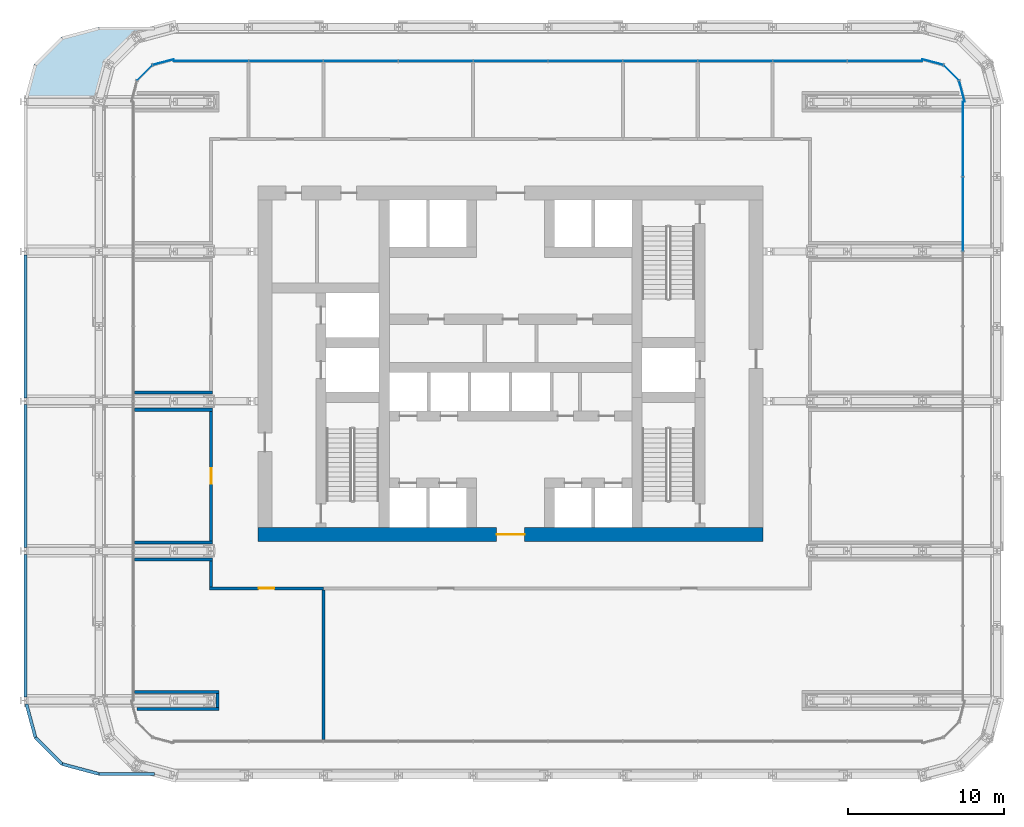
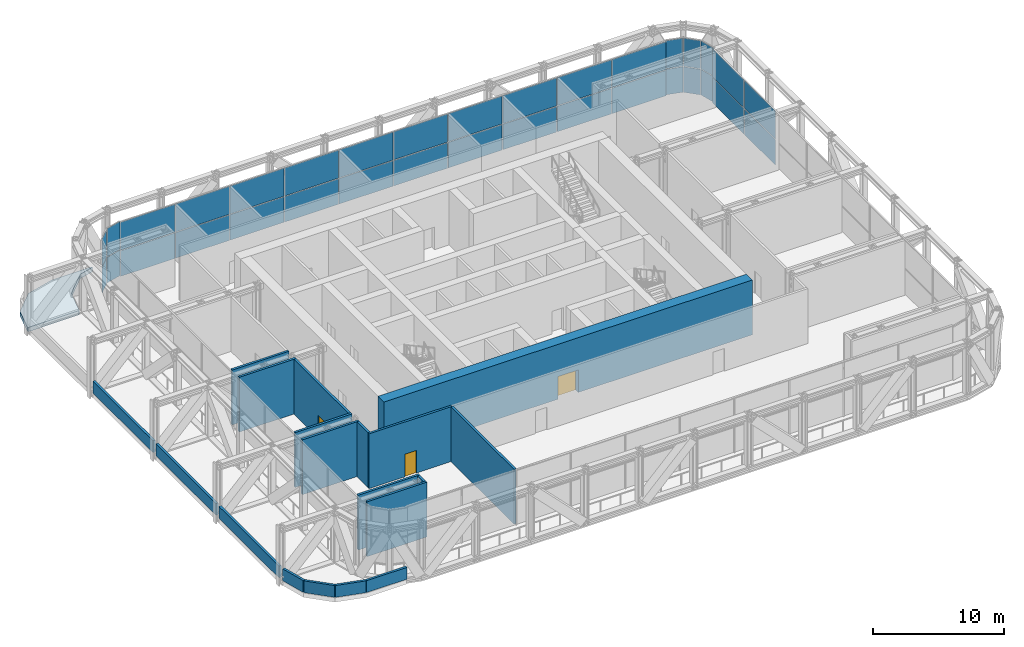
# One storey, part 19 of 30: 34 plates, 19 walls, 3 doors, 1 slab, 3 openings, 4 elements without a shape of their own.
"""IFC4 building model written with IfcOpenShell, lengths in metres."""

from ifc_helpers import new_model, si_unit, direction, frame, frame_2d, origin, origin_2d, place, context, subcontext, project, spatial, polyline, rectangle, outline, extrude, material, layer, layer_set, type_object, element, fill, aggregate, save


model = new_model("IFC4")

# Units and contexts
model_context = context("Model", 3, precision=1e-05, world=origin(), true_north=direction((0.0, 1.0)))
body_context = subcontext(model_context, "Body", "Model", "MODEL_VIEW")
ifc_project = project(units=[si_unit("LENGTHUNIT", "METRE"), si_unit("AREAUNIT", "SQUARE_METRE"), si_unit("VOLUMEUNIT", "CUBIC_METRE"), si_unit("PLANEANGLEUNIT", "RADIAN"), si_unit("MASSUNIT", "GRAM", prefix="KILO")], contexts=[model_context])

# Site, building, storey
site_placement = place(None, origin())
site = spatial("IfcSite", under=ifc_project, at=site_placement, CompositionType="ELEMENT")
building_placement = place(site_placement, origin())
building = spatial("IfcBuilding", under=site, at=building_placement, Name="Madar Terraces", CompositionType="ELEMENT")
storey_placement = place(building_placement, frame((0.0, 0.0, 53.89990234375)))
storey = spatial("IfcBuildingStorey", under=building, at=storey_placement, Name="L13", CompositionType="ELEMENT", Elevation=53.89990234375)

# Curtain wall, plates
ifc_material_1 = material(Name="Glass, ceramic frit dark grey, with black aluminium frame", Category="aluminium")
ifc_layer_1 = layer(ifc_material_1, 0.199951171875)
ifc_layer_set_1 = layer_set([ifc_layer_1], Name="Facade curtain wall, tall glazing")
curtain_wall_type = type_object("IfcCurtainWallType", Name="Facade curtain wall, tall glazing", PredefinedType="NOTDEFINED", material=ifc_layer_set_1)
curtain_wall_1_placement = place(storey_placement, origin())
curtain_wall_1 = element("IfcCurtainWall", 1, at=curtain_wall_1_placement, inside=storey, type_object=curtain_wall_type, Name="Outer skin curtain wall east bay 1", PredefinedType="NOTDEFINED")
ifc_material_2 = material(Name="Glass, ceramic frit dark grey", Category="glass")
ifc_layer_2 = layer(ifc_material_2, 0.028076171875)
ifc_layer_set_2 = layer_set([ifc_layer_2], Name="Facade glass panel 28")
plate_type = type_object("IfcPlateType", Name="Facade glass panel 28", PredefinedType="CURTAIN_PANEL", material=ifc_layer_set_2)
plate_1_placement = place(storey_placement, frame((60.199951171875, 36.0, 0.0), z_axis=(0.0, 0.0, 1.0), x_axis=(0.0, 1.0, 0.0)))
plate_1 = element("IfcPlate", 2, at=plate_1_placement, type_object=plate_type, Name="Panel 13", PredefinedType="CURTAIN_PANEL", context=body_context, shape_type="SweptSolid", body=[
    extrude(rectangle(XDim=4.739990234375, YDim=0.028076171875, at=origin_2d()), origin(), (0.0, 0.0, 1.0), 2.3701171875),
])
plate_2_placement = place(storey_placement, frame((60.199951171875, 36.0, 2.43017578125), z_axis=(0.0, 0.0, 1.0), x_axis=(0.0, 1.0, 0.0)))
plate_2 = element("IfcPlate", 3, at=plate_2_placement, type_object=plate_type, Name="Panel 14", PredefinedType="CURTAIN_PANEL", context=body_context, shape_type="SweptSolid", body=[
    extrude(rectangle(XDim=4.739990234375, YDim=0.028076171875, at=origin_2d()), origin(), (0.0, 0.0, 1.0), 2.610107421875),
])
plate_3_placement = place(storey_placement, frame((60.199951171875, 40.81494140625, 0.0), z_axis=(0.0, 0.0, 1.0), x_axis=(0.0, 1.0, 0.0)))
plate_3 = element("IfcPlate", 4, at=plate_3_placement, type_object=plate_type, Name="Panel 15", PredefinedType="CURTAIN_PANEL", context=body_context, shape_type="SweptSolid", body=[
    extrude(rectangle(XDim=4.77001953125, YDim=0.028076171875, at=origin_2d()), origin(), (0.0, 0.0, 1.0), 2.3701171875),
])
plate_4_placement = place(storey_placement, frame((60.199951171875, 40.81494140625, 2.43017578125), z_axis=(0.0, 0.0, 1.0), x_axis=(0.0, 1.0, 0.0)))
plate_4 = element("IfcPlate", 5, at=plate_4_placement, type_object=plate_type, Name="Panel 16", PredefinedType="CURTAIN_PANEL", context=body_context, shape_type="SweptSolid", body=[
    extrude(rectangle(XDim=4.77001953125, YDim=0.028076171875, at=origin_2d()), origin(), (0.0, 0.0, 1.0), 2.610107421875),
])
aggregate(curtain_wall_1, [plate_1, plate_2, plate_3, plate_4])

curtain_wall_2_placement = place(storey_placement, origin())
curtain_wall_2 = element("IfcCurtainWall", 6, at=curtain_wall_2_placement, inside=storey, type_object=curtain_wall_type, Name="Outer skin curtain wall north bay 1", PredefinedType="NOTDEFINED")
plate_5_placement = place(storey_placement, frame((55.215087890625, 45.800048828125, 0.0), z_axis=(0.0, 0.0, 1.0), x_axis=(-1.0, 0.0, 0.0)))
plate_5 = element("IfcPlate", 7, at=plate_5_placement, type_object=plate_type, Name="Panel 1", PredefinedType="CURTAIN_PANEL", context=body_context, shape_type="SweptSolid", body=[
    extrude(rectangle(XDim=4.77001953125, YDim=0.028076171875, at=origin_2d()), origin(), (0.0, 0.0, 1.0), 2.3701171875),
])
plate_6_placement = place(storey_placement, frame((55.215087890625, 45.800048828125, 2.43017578125), z_axis=(0.0, 0.0, 1.0), x_axis=(-1.0, 0.0, 0.0)))
plate_6 = element("IfcPlate", 8, at=plate_6_placement, type_object=plate_type, Name="Panel 2", PredefinedType="CURTAIN_PANEL", context=body_context, shape_type="SweptSolid", body=[
    extrude(rectangle(XDim=4.77001953125, YDim=0.028076171875, at=origin_2d()), origin(), (0.0, 0.0, 1.0), 2.610107421875),
])
plate_7_placement = place(storey_placement, frame((50.39990234375, 45.800048828125, 0.0), z_axis=(0.0, 0.0, 1.0), x_axis=(-1.0, 0.0, 0.0)))
plate_7 = element("IfcPlate", 9, at=plate_7_placement, type_object=plate_type, Name="Panel 3", PredefinedType="CURTAIN_PANEL", context=body_context, shape_type="SweptSolid", body=[
    extrude(rectangle(XDim=4.739990234375, YDim=0.028076171875, at=origin_2d()), origin(), (0.0, 0.0, 1.0), 2.3701171875),
])
plate_8_placement = place(storey_placement, frame((50.39990234375, 45.800048828125, 2.43017578125), z_axis=(0.0, 0.0, 1.0), x_axis=(-1.0, 0.0, 0.0)))
plate_8 = element("IfcPlate", 10, at=plate_8_placement, type_object=plate_type, Name="Panel 4", PredefinedType="CURTAIN_PANEL", context=body_context, shape_type="SweptSolid", body=[
    extrude(rectangle(XDim=4.739990234375, YDim=0.028076171875, at=origin_2d()), origin(), (0.0, 0.0, 1.0), 2.610107421875),
])
plate_9_placement = place(storey_placement, frame((45.60009765625, 45.800048828125, 0.0), z_axis=(0.0, 0.0, 1.0), x_axis=(-1.0, 0.0, 0.0)))
plate_9 = element("IfcPlate", 11, at=plate_9_placement, type_object=plate_type, Name="Panel 5", PredefinedType="CURTAIN_PANEL", context=body_context, shape_type="SweptSolid", body=[
    extrude(rectangle(XDim=4.739990234375, YDim=0.028076171875, at=origin_2d()), origin(), (0.0, 0.0, 1.0), 2.3701171875),
])
plate_10_placement = place(storey_placement, frame((45.60009765625, 45.800048828125, 2.43017578125), z_axis=(0.0, 0.0, 1.0), x_axis=(-1.0, 0.0, 0.0)))
plate_10 = element("IfcPlate", 12, at=plate_10_placement, type_object=plate_type, Name="Panel 6", PredefinedType="CURTAIN_PANEL", context=body_context, shape_type="SweptSolid", body=[
    extrude(rectangle(XDim=4.739990234375, YDim=0.028076171875, at=origin_2d()), origin(), (0.0, 0.0, 1.0), 2.610107421875),
])
plate_11_placement = place(storey_placement, frame((40.800048828125, 45.800048828125, 0.0), z_axis=(0.0, 0.0, 1.0), x_axis=(-1.0, 0.0, 0.0)))
plate_11 = element("IfcPlate", 13, at=plate_11_placement, type_object=plate_type, Name="Panel 7", PredefinedType="CURTAIN_PANEL", context=body_context, shape_type="SweptSolid", body=[
    extrude(rectangle(XDim=4.739990234375, YDim=0.028076171875, at=origin_2d()), origin(), (0.0, 0.0, 1.0), 2.3701171875),
])
plate_12_placement = place(storey_placement, frame((40.800048828125, 45.800048828125, 2.43017578125), z_axis=(0.0, 0.0, 1.0), x_axis=(-1.0, 0.0, 0.0)))
plate_12 = element("IfcPlate", 14, at=plate_12_placement, type_object=plate_type, Name="Panel 8", PredefinedType="CURTAIN_PANEL", context=body_context, shape_type="SweptSolid", body=[
    extrude(rectangle(XDim=4.739990234375, YDim=0.028076171875, at=origin_2d()), origin(), (0.0, 0.0, 1.0), 2.610107421875),
])
plate_13_placement = place(storey_placement, frame((36.0, 45.800048828125, 0.0), z_axis=(0.0, 0.0, 1.0), x_axis=(-1.0, 0.0, 0.0)))
plate_13 = element("IfcPlate", 15, at=plate_13_placement, type_object=plate_type, Name="Panel 9", PredefinedType="CURTAIN_PANEL", context=body_context, shape_type="SweptSolid", body=[
    extrude(rectangle(XDim=4.739990234375, YDim=0.028076171875, at=origin_2d()), origin(), (0.0, 0.0, 1.0), 2.3701171875),
])
plate_14_placement = place(storey_placement, frame((36.0, 45.800048828125, 2.43017578125), z_axis=(0.0, 0.0, 1.0), x_axis=(-1.0, 0.0, 0.0)))
plate_14 = element("IfcPlate", 16, at=plate_14_placement, type_object=plate_type, Name="Panel 10", PredefinedType="CURTAIN_PANEL", context=body_context, shape_type="SweptSolid", body=[
    extrude(rectangle(XDim=4.739990234375, YDim=0.028076171875, at=origin_2d()), origin(), (0.0, 0.0, 1.0), 2.610107421875),
])
plate_15_placement = place(storey_placement, frame((31.199951171875, 45.800048828125, 0.0), z_axis=(0.0, 0.0, 1.0), x_axis=(-1.0, 0.0, 0.0)))
plate_15 = element("IfcPlate", 17, at=plate_15_placement, type_object=plate_type, Name="Panel 11", PredefinedType="CURTAIN_PANEL", context=body_context, shape_type="SweptSolid", body=[
    extrude(rectangle(XDim=4.739990234375, YDim=0.028076171875, at=origin_2d()), origin(), (0.0, 0.0, 1.0), 2.3701171875),
])
plate_16_placement = place(storey_placement, frame((31.199951171875, 45.800048828125, 2.43017578125), z_axis=(0.0, 0.0, 1.0), x_axis=(-1.0, 0.0, 0.0)))
plate_16 = element("IfcPlate", 18, at=plate_16_placement, type_object=plate_type, Name="Panel 12", PredefinedType="CURTAIN_PANEL", context=body_context, shape_type="SweptSolid", body=[
    extrude(rectangle(XDim=4.739990234375, YDim=0.028076171875, at=origin_2d()), origin(), (0.0, 0.0, 1.0), 2.610107421875),
])
plate_17_placement = place(storey_placement, frame((26.39990234375, 45.800048828125, 0.0), z_axis=(0.0, 0.0, 1.0), x_axis=(-1.0, 0.0, 0.0)))
plate_17 = element("IfcPlate", 19, at=plate_17_placement, type_object=plate_type, Name="Panel 13", PredefinedType="CURTAIN_PANEL", context=body_context, shape_type="SweptSolid", body=[
    extrude(rectangle(XDim=4.739990234375, YDim=0.028076171875, at=origin_2d()), origin(), (0.0, 0.0, 1.0), 2.3701171875),
])
plate_18_placement = place(storey_placement, frame((26.39990234375, 45.800048828125, 2.43017578125), z_axis=(0.0, 0.0, 1.0), x_axis=(-1.0, 0.0, 0.0)))
plate_18 = element("IfcPlate", 20, at=plate_18_placement, type_object=plate_type, Name="Panel 14", PredefinedType="CURTAIN_PANEL", context=body_context, shape_type="SweptSolid", body=[
    extrude(rectangle(XDim=4.739990234375, YDim=0.028076171875, at=origin_2d()), origin(), (0.0, 0.0, 1.0), 2.610107421875),
])
plate_19_placement = place(storey_placement, frame((21.60009765625, 45.800048828125, 0.0), z_axis=(0.0, 0.0, 1.0), x_axis=(-1.0, 0.0, 0.0)))
plate_19 = element("IfcPlate", 21, at=plate_19_placement, type_object=plate_type, Name="Panel 15", PredefinedType="CURTAIN_PANEL", context=body_context, shape_type="SweptSolid", body=[
    extrude(rectangle(XDim=4.739990234375, YDim=0.028076171875, at=origin_2d()), origin(), (0.0, 0.0, 1.0), 2.3701171875),
])
plate_20_placement = place(storey_placement, frame((21.60009765625, 45.800048828125, 2.43017578125), z_axis=(0.0, 0.0, 1.0), x_axis=(-1.0, 0.0, 0.0)))
plate_20 = element("IfcPlate", 22, at=plate_20_placement, type_object=plate_type, Name="Panel 16", PredefinedType="CURTAIN_PANEL", context=body_context, shape_type="SweptSolid", body=[
    extrude(rectangle(XDim=4.739990234375, YDim=0.028076171875, at=origin_2d()), origin(), (0.0, 0.0, 1.0), 2.610107421875),
])
plate_21_placement = place(storey_placement, frame((16.800048828125, 45.800048828125, 0.0), z_axis=(0.0, 0.0, 1.0), x_axis=(-1.0, 0.0, 0.0)))
plate_21 = element("IfcPlate", 23, at=plate_21_placement, type_object=plate_type, Name="Panel 17", PredefinedType="CURTAIN_PANEL", context=body_context, shape_type="SweptSolid", body=[
    extrude(rectangle(XDim=4.739990234375, YDim=0.028076171875, at=origin_2d()), origin(), (0.0, 0.0, 1.0), 2.3701171875),
])
plate_22_placement = place(storey_placement, frame((16.800048828125, 45.800048828125, 2.43017578125), z_axis=(0.0, 0.0, 1.0), x_axis=(-1.0, 0.0, 0.0)))
plate_22 = element("IfcPlate", 24, at=plate_22_placement, type_object=plate_type, Name="Panel 18", PredefinedType="CURTAIN_PANEL", context=body_context, shape_type="SweptSolid", body=[
    extrude(rectangle(XDim=4.739990234375, YDim=0.028076171875, at=origin_2d()), origin(), (0.0, 0.0, 1.0), 2.610107421875),
])
plate_23_placement = place(storey_placement, frame((11.985107421875, 45.800048828125, 0.0), z_axis=(0.0, 0.0, 1.0), x_axis=(-1.0, 0.0, 0.0)))
plate_23 = element("IfcPlate", 25, at=plate_23_placement, type_object=plate_type, Name="Panel 19", PredefinedType="CURTAIN_PANEL", context=body_context, shape_type="SweptSolid", body=[
    extrude(rectangle(XDim=4.77001953125, YDim=0.028076171875, at=origin_2d()), origin(), (0.0, 0.0, 1.0), 2.3701171875),
])
plate_24_placement = place(storey_placement, frame((11.985107421875, 45.800048828125, 2.43017578125), z_axis=(0.0, 0.0, 1.0), x_axis=(-1.0, 0.0, 0.0)))
plate_24 = element("IfcPlate", 26, at=plate_24_placement, type_object=plate_type, Name="Panel 20", PredefinedType="CURTAIN_PANEL", context=body_context, shape_type="SweptSolid", body=[
    extrude(rectangle(XDim=4.77001953125, YDim=0.028076171875, at=origin_2d()), origin(), (0.0, 0.0, 1.0), 2.610107421875),
])
aggregate(curtain_wall_2, [plate_5, plate_6, plate_7, plate_8, plate_9, plate_10, plate_11, plate_12, plate_13, plate_14, plate_15, plate_16, plate_17, plate_18, plate_19, plate_20, plate_21, plate_22, plate_23, plate_24])

curtain_wall_3_placement = place(storey_placement, origin())
curtain_wall_3 = element("IfcCurtainWall", 27, at=curtain_wall_3_placement, inside=storey, type_object=curtain_wall_type, Name="Outer skin curtain wall north-east corner", PredefinedType="NOTDEFINED")
plate_25_placement = place(storey_placement, frame((60.1416015625, 43.865478515625, 0.0), z_axis=(0.0, 0.0, 1.0), x_axis=(-0.258819110244, 0.965925808834, 0.0)))
plate_25 = element("IfcPlate", 28, at=plate_25_placement, type_object=plate_type, Name="Panel 1", PredefinedType="CURTAIN_PANEL", context=body_context, shape_type="SweptSolid", body=[
    extrude(rectangle(XDim=1.3779296875, YDim=0.028076171875, at=origin_2d()), origin(), (0.0, 0.0, 1.0), 2.3701171875),
])
plate_26_placement = place(storey_placement, frame((60.1416015625, 43.865478515625, 2.43017578125), z_axis=(0.0, 0.0, 1.0), x_axis=(-0.258819110244, 0.965925808834, 0.0)))
plate_26 = element("IfcPlate", 29, at=plate_26_placement, type_object=plate_type, Name="Panel 2", PredefinedType="CURTAIN_PANEL", context=body_context, shape_type="SweptSolid", body=[
    extrude(rectangle(XDim=1.3779296875, YDim=0.028076171875, at=origin_2d()), origin(), (0.0, 0.0, 1.0), 2.610107421875),
])
plate_27_placement = place(storey_placement, frame((59.457763671875, 45.057861328125, 0.0), z_axis=(0.0, 0.0, 1.0), x_axis=(-0.707106781187, 0.707106781187, 0.0)))
plate_27 = element("IfcPlate", 30, at=plate_27_placement, type_object=plate_type, Name="Panel 3", PredefinedType="CURTAIN_PANEL", context=body_context, shape_type="SweptSolid", body=[
    extrude(rectangle(XDim=1.347900390625, YDim=0.028076171875, at=origin_2d()), origin(), (0.0, 0.0, 1.0), 2.3701171875),
])
plate_28_placement = place(storey_placement, frame((59.457763671875, 45.057861328125, 2.43017578125), z_axis=(0.0, 0.0, 1.0), x_axis=(-0.707106781187, 0.707106781187, 0.0)))
plate_28 = element("IfcPlate", 31, at=plate_28_placement, type_object=plate_type, Name="Panel 4", PredefinedType="CURTAIN_PANEL", context=body_context, shape_type="SweptSolid", body=[
    extrude(rectangle(XDim=1.347900390625, YDim=0.028076171875, at=origin_2d()), origin(), (0.0, 0.0, 1.0), 2.610107421875),
])
plate_29_placement = place(storey_placement, frame((58.265625, 45.74169921875, 0.0), z_axis=(0.0, 0.0, 1.0), x_axis=(-0.965925808834, 0.258819110244, 0.0)))
plate_29 = element("IfcPlate", 32, at=plate_29_placement, type_object=plate_type, Name="Panel 5", PredefinedType="CURTAIN_PANEL", context=body_context, shape_type="SweptSolid", body=[
    extrude(rectangle(XDim=1.3779296875, YDim=0.028076171875, at=origin_2d()), origin(), (0.0, 0.0, 1.0), 2.3701171875),
])
plate_30_placement = place(storey_placement, frame((58.265625, 45.74169921875, 2.43017578125), z_axis=(0.0, 0.0, 1.0), x_axis=(-0.965925808834, 0.258819110244, 0.0)))
plate_30 = element("IfcPlate", 33, at=plate_30_placement, type_object=plate_type, Name="Panel 6", PredefinedType="CURTAIN_PANEL", context=body_context, shape_type="SweptSolid", body=[
    extrude(rectangle(XDim=1.3779296875, YDim=0.028076171875, at=origin_2d()), origin(), (0.0, 0.0, 1.0), 2.610107421875),
])
aggregate(curtain_wall_3, [plate_25, plate_26, plate_27, plate_28, plate_29, plate_30])

curtain_wall_4_placement = place(storey_placement, origin())
curtain_wall_4 = element("IfcCurtainWall", 34, at=curtain_wall_4_placement, inside=storey, type_object=curtain_wall_type, Name="Outer skin curtain wall north-west corner", PredefinedType="NOTDEFINED")
plate_31_placement = place(storey_placement, frame((8.9345703125, 45.74169921875, 0.0), z_axis=(0.0, 0.0, 1.0), x_axis=(-0.965925808834, -0.258819110244, 0.0)))
plate_31 = element("IfcPlate", 35, at=plate_31_placement, type_object=plate_type, Name="Panel 1", PredefinedType="CURTAIN_PANEL", context=body_context, shape_type="SweptSolid", body=[
    extrude(rectangle(XDim=1.3779296875, YDim=0.028076171875, at=origin_2d()), origin(), (0.0, 0.0, 1.0), 2.3701171875),
])
plate_32_placement = place(storey_placement, frame((8.9345703125, 45.74169921875, 2.43017578125), z_axis=(0.0, 0.0, 1.0), x_axis=(-0.965925808834, -0.258819110244, 0.0)))
plate_32 = element("IfcPlate", 36, at=plate_32_placement, type_object=plate_type, Name="Panel 2", PredefinedType="CURTAIN_PANEL", context=body_context, shape_type="SweptSolid", body=[
    extrude(rectangle(XDim=1.3779296875, YDim=0.028076171875, at=origin_2d()), origin(), (0.0, 0.0, 1.0), 2.610107421875),
])
plate_33_placement = place(storey_placement, frame((7.7421875, 45.057861328125, 0.0), z_axis=(0.0, 0.0, 1.0), x_axis=(-0.707106781187, -0.707106781187, 0.0)))
plate_33 = element("IfcPlate", 37, at=plate_33_placement, type_object=plate_type, Name="Panel 3", PredefinedType="CURTAIN_PANEL", context=body_context, shape_type="SweptSolid", body=[
    extrude(rectangle(XDim=1.347900390625, YDim=0.028076171875, at=origin_2d()), origin(), (0.0, 0.0, 1.0), 2.3701171875),
])
plate_34_placement = place(storey_placement, frame((7.7421875, 45.057861328125, 2.43017578125), z_axis=(0.0, 0.0, 1.0), x_axis=(-0.707106781187, -0.707106781187, 0.0)))
plate_34 = element("IfcPlate", 38, at=plate_34_placement, type_object=plate_type, Name="Panel 4", PredefinedType="CURTAIN_PANEL", context=body_context, shape_type="SweptSolid", body=[
    extrude(rectangle(XDim=1.347900390625, YDim=0.028076171875, at=origin_2d()), origin(), (0.0, 0.0, 1.0), 2.610107421875),
])
aggregate(curtain_wall_4, [plate_31, plate_32, plate_33, plate_34])

# Slab
ifc_material_3 = material(Name="Concrete C50/60", Category="concrete")
ifc_layer_3 = layer(ifc_material_3, 0.39990234375)
ifc_layer_set_3 = layer_set([ifc_layer_3], Name="TS1 PT terrace slab 400")
slab_type = type_object("IfcSlabType", Name="TS1 PT terrace slab 400", PredefinedType="FLOOR", material=ifc_layer_set_3)
slab_placement = place(storey_placement, frame((0.0, 0.0, -0.39990234375)))
element("IfcSlab", 39, at=slab_placement, inside=storey, type_object=slab_type, Name="Terrace roof slab L13 (6)", PredefinedType="FLOOR", context=body_context, shape_type="SweptSolid", body=[
    extrude(outline(polyline([(0.643310546875, 45.596923828125), (0.64111328125, 45.592041015625), (0.6396484375, 45.587158203125), (0.080078125, 43.499267578125), (0.0791015625, 43.494384765625), (0.07861328125, 43.48974609375), (0.078369140625, 43.48486328125), (0.078857421875, 43.47998046875), (0.07958984375, 43.475341796875), (0.0810546875, 43.470703125), (0.082763671875, 43.466064453125), (0.084716796875, 43.4619140625), (0.08740234375, 43.457763671875), (0.09033203125, 43.453857421875), (0.093505859375, 43.450439453125), (0.09716796875, 43.447265625), (0.10107421875, 43.4443359375), (0.105224609375, 43.44189453125), (0.109619140625, 43.43994140625), (0.1142578125, 43.438232421875), (0.118896484375, 43.437255859375), (0.12353515625, 43.4365234375), (0.12841796875, 43.436279296875), (4.580322265625, 43.436279296875), (4.58544921875, 43.4365234375), (4.59033203125, 43.437255859375), (4.59521484375, 43.4384765625), (4.599853515625, 43.440185546875), (4.6044921875, 43.4423828125), (4.60888671875, 43.445068359375), (4.61279296875, 43.4482421875), (4.616455078125, 43.45166015625), (4.61962890625, 43.455322265625), (4.62255859375, 43.45947265625), (4.625, 43.4638671875), (4.627197265625, 43.468505859375), (4.628662109375, 43.473388671875), (5.23095703125, 45.720947265625), (5.2314453125, 45.72216796875), (5.232177734375, 45.72314453125), (7.076904296875, 47.56787109375), (7.077880859375, 47.568603515625), (7.0791015625, 47.569091796875), (8.320556640625, 47.901611328125), (8.3251953125, 47.9033203125), (8.329833984375, 47.9052734375), (8.333984375, 47.90771484375), (8.338134765625, 47.910400390625), (8.341796875, 47.913818359375), (8.345458984375, 47.917236328125), (8.348388671875, 47.921142578125), (8.35107421875, 47.92529296875), (8.353271484375, 47.929931640625), (8.35498046875, 47.9345703125), (8.3564453125, 47.939208984375), (8.357177734375, 47.944091796875), (8.357421875, 47.94921875), (8.357421875, 47.9541015625), (8.356689453125, 47.958984375), (8.35546875, 47.9638671875), (8.35400390625, 47.968505859375), (8.351806640625, 47.972900390625), (8.349365234375, 47.977294921875), (8.346435546875, 47.9814453125), (8.34326171875, 47.985107421875), (8.339599609375, 47.98828125), (8.335693359375, 47.991455078125), (8.331298828125, 47.993896484375), (8.326904296875, 47.99609375), (8.322265625, 47.997802734375), (8.3173828125, 47.9990234375), (8.3125, 47.999755859375), (8.3076171875, 48.0), (4.806640625, 48.0), (4.80224609375, 47.999755859375), (4.7978515625, 47.999267578125), (4.793701171875, 47.998291015625), (2.412841796875, 47.3603515625), (2.407958984375, 47.35888671875), (2.403076171875, 47.356689453125), (2.398681640625, 47.35400390625), (2.39453125, 47.350830078125), (2.390625, 47.347412109375), (0.652587890625, 45.609375), (0.649169921875, 45.60546875), (0.64599609375, 45.601318359375), (0.643310546875, 45.596923828125)])), origin(), (0.0, 0.0, 1.0), 0.39990234375),
])

# Wall, opening, door
ifc_material_4 = material(Name="Concrete C80/95", Category="concrete")
ifc_layer_4 = layer(ifc_material_4, 0.89990234375)
ifc_layer_set_4 = layer_set([ifc_layer_4], Name="Concrete C80/95 (CRW2 RC wall 900)")
wall_type_1 = type_object("IfcWallType", Name="CRW2 RC wall 900", PredefinedType="SHEAR", material=ifc_layer_set_4)
wall_1_placement = place(storey_placement, frame((15.0, 15.449951171875, 0.0), z_axis=(0.0, 0.0, 1.0), x_axis=(1.0, 0.0, 0.0)))
wall_1 = element("IfcWall", 40, at=wall_1_placement, inside=storey, type_object=wall_type_1, Name="CORE OUTER WALL", PredefinedType="SHEAR", context=body_context, shape_type="SweptSolid", body=[
    extrude(rectangle(XDim=32.39990234375, YDim=0.89990234375, at=frame_2d((16.199951171875, 0.0))), origin(), (0.0, 0.0, 1.0), 5.10009765625),
])
opening_1_placement = place(wall_1_placement, frame((15.300048828125, 0.0, 0.0)))
opening_1 = element("IfcOpeningElement", 41, at=opening_1_placement, cuts=wall_1, Name="Opening KD1", PredefinedType="OPENING", context=body_context, shape_type="SweptSolid", body=[
    extrude(rectangle(XDim=1.800048828125, YDim=2.10009765625, at=frame_2d((0.89990234375, 1.050048828125))), frame((0.0, 0.4599609375, 0.0), z_axis=(0.0, -1.0, 0.0), x_axis=(1.0, 0.0, 0.0)), (0.0, 0.0, 1.0), 0.919921875),
])
ifc_material_5 = material(Name="Steel door leaf", Category="steel")
door_type_1 = type_object("IfcDoorType", Name="Lobby door pair 1800 x 2100", OperationType="DOUBLE_DOOR_SINGLE_SWING", PredefinedType="DOOR", material=ifc_material_5)
door_1_placement = place(opening_1_placement, frame((1.800048828125, 0.0, 0.0), z_axis=(0.0, 0.0, 1.0), x_axis=(-1.0, 0.0, 0.0)))
door_1 = element("IfcDoor", 42, at=door_1_placement, inside=storey, type_object=door_type_1, Name="LIFT LOBBY DOOR", OperationType="DOUBLE_DOOR_SINGLE_SWING", OverallHeight=2.10009765625, OverallWidth=1.800048828125, PredefinedType="DOOR", context=body_context, shape_type="SweptSolid", body=[
    extrude(rectangle(XDim=1.800048828125, YDim=2.10009765625, at=frame_2d((0.89990234375, 1.050048828125))), frame((0.0, 0.02490234375, 0.0), z_axis=(0.0, -1.0, 0.0), x_axis=(1.0, 0.0, 0.0)), (0.0, 0.0, 1.0), 0.050048828125),
])
fill(opening_1, door_1)

# Walls
ifc_material_6 = material(Name="Blockwork", Category="masonry")
ifc_layer_5 = layer(ifc_material_6, 0.199951171875)
ifc_layer_set_5 = layer_set([ifc_layer_5], Name="Partition 200 EI 120")
wall_type_2 = type_object("IfcWallType", Name="Partition 200 EI 120", PredefinedType="PARTITIONING", material=ifc_layer_set_5)
wall_2_placement = place(storey_placement, frame((7.25, 4.25, 0.0), z_axis=(0.0, 0.0, 1.0), x_axis=(1.0, 0.0, 0.0)))
element("IfcWall", 43, at=wall_2_placement, inside=storey, type_object=wall_type_2, Name="Wall ELECTRICAL SWITCH ROOM / TRUSS SLOT", PredefinedType="PARTITIONING", context=body_context, shape_type="SweptSolid", body=[
    extrude(rectangle(XDim=5.25, YDim=0.199951171875, at=frame_2d((2.625, 0.0))), origin(), (0.0, 0.0, 1.0), 5.10009765625),
])
wall_3_placement = place(storey_placement, frame((7.10009765625, 5.35009765625, 0.0), z_axis=(0.0, 0.0, 1.0), x_axis=(1.0, 0.0, 0.0)))
element("IfcWall", 44, at=wall_3_placement, inside=storey, type_object=wall_type_2, Name="Wall ELECTRICAL SWITCH ROOM / TRUSS SLOT", PredefinedType="PARTITIONING", context=body_context, shape_type="SweptSolid", body=[
    extrude(rectangle(XDim=5.39990234375, YDim=0.199951171875, at=frame_2d((2.699951171875, 0.0))), origin(), (0.0, 0.0, 1.0), 5.10009765625),
])

# Wall, opening, door
wall_4_placement = place(storey_placement, frame((19.199951171875, 12.0, 0.0), z_axis=(0.0, 0.0, 1.0), x_axis=(-1.0, 0.0, 0.0)))
wall_4 = element("IfcWall", 45, at=wall_4_placement, inside=storey, type_object=wall_type_2, Name="Wall ELECTRICAL SWITCH ROOM / RING CORRIDOR", PredefinedType="PARTITIONING", context=body_context, shape_type="SweptSolid", body=[
    extrude(rectangle(XDim=7.300048828125, YDim=0.199951171875, at=frame_2d((3.64990234375, 0.0))), origin(), (0.0, 0.0, 1.0), 5.10009765625),
])
opening_2_placement = place(wall_4_placement, frame((3.14990234375, 0.0, 0.0)))
opening_2 = element("IfcOpeningElement", 46, at=opening_2_placement, cuts=wall_4, Name="Opening D33", PredefinedType="OPENING", context=body_context, shape_type="SweptSolid", body=[
    extrude(rectangle(XDim=1.0, YDim=2.10009765625, at=frame_2d((0.5, 1.050048828125))), frame((0.0, 0.10986328125, 0.0), z_axis=(0.0, -1.0, 0.0), x_axis=(1.0, 0.0, 0.0)), (0.0, 0.0, 1.0), 0.219970703125),
])
ifc_material_7 = material(Name="Timber door leaf, fire-rated", Category="wood")
door_type_2 = type_object("IfcDoorType", Name="Podium door 1000 x 2100 FD90S", OperationType="NOTDEFINED", PredefinedType="DOOR", material=ifc_material_7)
door_2_placement = place(opening_2_placement, origin())
door_2 = element("IfcDoor", 47, at=door_2_placement, inside=storey, type_object=door_type_2, Name="Door ELECTRICAL SWITCH ROOM / RING CORRIDOR", OperationType="SINGLE_SWING_RIGHT", OverallHeight=2.10009765625, OverallWidth=1.0, PredefinedType="DOOR", context=body_context, shape_type="SweptSolid", body=[
    extrude(rectangle(XDim=1.0, YDim=2.10009765625, at=frame_2d((0.5, 1.050048828125))), frame((0.0, 0.02490234375, 0.0), z_axis=(0.0, -1.0, 0.0), x_axis=(1.0, 0.0, 0.0)), (0.0, 0.0, 1.0), 0.050048828125),
])
fill(opening_2, door_2)

# Walls
for number, where, z_axis, x_axis, name in (
    (48, (7.10009765625, 13.85009765625, 0.0), (0.0, 0.0, 1.0), (1.0, 0.0, 0.0), "Wall ELECTRICAL SWITCH ROOM / TRUSS SLOT"),
    (49, (7.10009765625, 14.949951171875, 0.0), (0.0, 0.0, 1.0), (1.0, 0.0, 0.0), "Wall PUMP PLANT ROOM / TRUSS SLOT"),
    (50, (7.10009765625, 23.449951171875, 0.0), (0.0, 0.0, 1.0), (1.0, 0.0, 0.0), "Wall PUMP PLANT ROOM / TRUSS SLOT"),
    (51, (7.10009765625, 24.550048828125, 0.0), (0.0, 0.0, 1.0), (1.0, 0.0, 0.0), "Wall STORE PLANT ROOM / TRUSS SLOT"),
):
    element("IfcWall", number, at=place(storey_placement, frame(where, z_axis=z_axis, x_axis=x_axis)), inside=storey, type_object=wall_type_2, Name=name, PredefinedType="PARTITIONING", context=body_context, shape_type="SweptSolid", body=[
        extrude(rectangle(XDim=5.0, YDim=0.199951171875, at=frame_2d((2.5, 0.0))), origin(), (0.0, 0.0, 1.0), 5.10009765625),
    ])
wall_5_placement = place(storey_placement, frame((12.0, 12.10009765625, 0.0), z_axis=(0.0, 0.0, 1.0), x_axis=(0.0, 1.0, 0.0)))
element("IfcWall", 52, at=wall_5_placement, inside=storey, type_object=wall_type_2, Name="Wall ELECTRICAL SWITCH ROOM / RING CORRIDOR", PredefinedType="PARTITIONING", context=body_context, shape_type="SweptSolid", body=[
    extrude(rectangle(XDim=1.64990234375, YDim=0.199951171875, at=frame_2d((0.824951171875, 0.0))), origin(), (0.0, 0.0, 1.0), 5.10009765625),
])

# Wall, opening, door
wall_6_placement = place(storey_placement, frame((12.0, 15.050048828125, 0.0), z_axis=(0.0, 0.0, 1.0), x_axis=(0.0, 1.0, 0.0)))
wall_6 = element("IfcWall", 53, at=wall_6_placement, inside=storey, type_object=wall_type_2, Name="Wall PUMP PLANT ROOM / RING CORRIDOR", PredefinedType="PARTITIONING", context=body_context, shape_type="SweptSolid", body=[
    extrude(rectangle(XDim=8.300048828125, YDim=0.199951171875, at=frame_2d((4.14990234375, 0.0))), origin(), (0.0, 0.0, 1.0), 5.10009765625),
])
opening_3_placement = place(wall_6_placement, frame((3.64990234375, 0.0, 0.0)))
opening_3 = element("IfcOpeningElement", 54, at=opening_3_placement, cuts=wall_6, Name="Opening D33", PredefinedType="OPENING", context=body_context, shape_type="SweptSolid", body=[
    extrude(rectangle(XDim=1.0, YDim=2.10009765625, at=frame_2d((0.5, 1.050048828125))), frame((0.0, 0.10986328125, 0.0), z_axis=(0.0, -1.0, 0.0), x_axis=(1.0, 0.0, 0.0)), (0.0, 0.0, 1.0), 0.219970703125),
])
door_3_placement = place(opening_3_placement, origin())
door_3 = element("IfcDoor", 55, at=door_3_placement, inside=storey, type_object=door_type_2, Name="Door PUMP PLANT ROOM / RING CORRIDOR", OperationType="SINGLE_SWING_LEFT", OverallHeight=2.10009765625, OverallWidth=1.0, PredefinedType="DOOR", context=body_context, shape_type="SweptSolid", body=[
    extrude(rectangle(XDim=1.0, YDim=2.10009765625, at=frame_2d((0.5, 1.050048828125))), frame((0.0, 0.02490234375, 0.0), z_axis=(0.0, -1.0, 0.0), x_axis=(1.0, 0.0, 0.0)), (0.0, 0.0, 1.0), 0.050048828125),
])
fill(opening_3, door_3)

# Walls
wall_7_placement = place(storey_placement, frame((12.39990234375, 4.35009765625, 0.0), z_axis=(0.0, 0.0, 1.0), x_axis=(0.0, 1.0, 0.0)))
element("IfcWall", 56, at=wall_7_placement, inside=storey, type_object=wall_type_2, Name="Wall ELECTRICAL SWITCH ROOM / TRUSS SLOT", PredefinedType="PARTITIONING", context=body_context, shape_type="SweptSolid", body=[
    extrude(rectangle(XDim=0.89990234375, YDim=0.199951171875, at=frame_2d((0.449951171875, 0.0))), origin(), (0.0, 0.0, 1.0), 5.10009765625),
])
wall_8_placement = place(storey_placement, frame((19.199951171875, 2.300048828125, 0.0), z_axis=(0.0, 0.0, 1.0), x_axis=(0.0, 1.0, 0.0)))
element("IfcWall", 57, at=wall_8_placement, inside=storey, type_object=wall_type_2, Name="Wall ELECTRICAL SWITCH ROOM / REFUGE AREA R1", PredefinedType="PARTITIONING", context=body_context, shape_type="SweptSolid", body=[
    extrude(rectangle(XDim=9.599853515625, YDim=0.199951171875, at=frame_2d((4.7998046875, 0.0))), origin(), (0.0, 0.0, 1.0), 5.10009765625),
])
ifc_material_8 = material(Name="Concrete C40/50", Category="concrete")
ifc_layer_6 = layer(ifc_material_8, 0.199951171875)
ifc_layer_set_6 = layer_set([ifc_layer_6], Name="Roof parapet 200")
wall_type_3 = type_object("IfcWallType", Name="Roof parapet 200", PredefinedType="PARAPET", material=ifc_layer_set_6)
wall_9_placement = place(storey_placement, frame((0.157958984375, 4.583740234375, 0.0400390625), z_axis=(0.0, 0.0, 1.0), x_axis=(0.258831837233, -0.965922398557, 0.0)))
element("IfcWall", 58, at=wall_9_placement, inside=storey, type_object=wall_type_3, Name="Roof parapet", PredefinedType="PARAPET", context=body_context, shape_type="SweptSolid", body=[
    extrude(rectangle(XDim=2.208984375, YDim=0.199951171875, at=frame_2d((1.1044921875, 0.0))), origin(), (0.0, 0.0, 1.0), 1.10009765625),
])
for number, where, z_axis, x_axis, name in (
    (59, (0.729736328125, 2.449951171875, 0.0400390625), (0.0, 0.0, 1.0), (0.707106781187, -0.707106781187, 0.0), "Roof parapet"),
    (60, (2.449951171875, 0.729736328125, 0.0400390625), (0.0, 0.0, 1.0), (0.965932823238, -0.258792930722, 0.0), "Roof parapet"),
):
    element("IfcWall", number, at=place(storey_placement, frame(where, z_axis=z_axis, x_axis=x_axis)), inside=storey, type_object=wall_type_3, Name=name, PredefinedType="PARAPET", context=body_context, shape_type="SweptSolid", body=[
        extrude(rectangle(XDim=2.432861328125, YDim=0.199951171875, at=frame_2d((1.21630859375, 0.0))), origin(), (0.0, 0.0, 1.0), 1.10009765625),
    ])
wall_10_placement = place(storey_placement, frame((4.800048828125, 0.10009765625, 0.0400390625), z_axis=(0.0, 0.0, 1.0), x_axis=(1.0, 0.0, 0.0)))
element("IfcWall", 61, at=wall_10_placement, inside=storey, type_object=wall_type_3, Name="Roof parapet", PredefinedType="PARAPET", context=body_context, shape_type="SweptSolid", body=[
    extrude(rectangle(XDim=3.556396484375, YDim=0.199951171875, at=frame_2d((1.7783203125, 0.0))), origin(), (0.0, 0.0, 1.0), 1.10009765625),
])
wall_11_placement = place(storey_placement, frame((0.10009765625, 14.183837890625, 0.0400390625), z_axis=(0.0, 0.0, 1.0), x_axis=(0.0, -1.0, 0.0)))
element("IfcWall", 62, at=wall_11_placement, inside=storey, type_object=wall_type_3, Name="Roof parapet", PredefinedType="PARAPET", context=body_context, shape_type="SweptSolid", body=[
    extrude(rectangle(XDim=9.167724609375, YDim=0.199951171875, at=frame_2d((4.583984375, 0.0))), origin(), (0.0, 0.0, 1.0), 1.10009765625),
])
for number, where, z_axis, x_axis, name in (
    (63, (0.10009765625, 23.78369140625, 0.0400390625), (0.0, 0.0, 1.0), (0.0, -1.0, 0.0), "Roof parapet"),
    (64, (0.10009765625, 33.3837890625, 0.0400390625), (0.0, 0.0, 1.0), (0.0, -1.0, 0.0), "Roof parapet"),
):
    element("IfcWall", number, at=place(storey_placement, frame(where, z_axis=z_axis, x_axis=x_axis)), inside=storey, type_object=wall_type_3, Name=name, PredefinedType="PARAPET", context=body_context, shape_type="SweptSolid", body=[
        extrude(rectangle(XDim=9.16748046875, YDim=0.199951171875, at=frame_2d((4.583740234375, 0.0))), origin(), (0.0, 0.0, 1.0), 1.10009765625),
    ])

save(model, "model.ifc")
